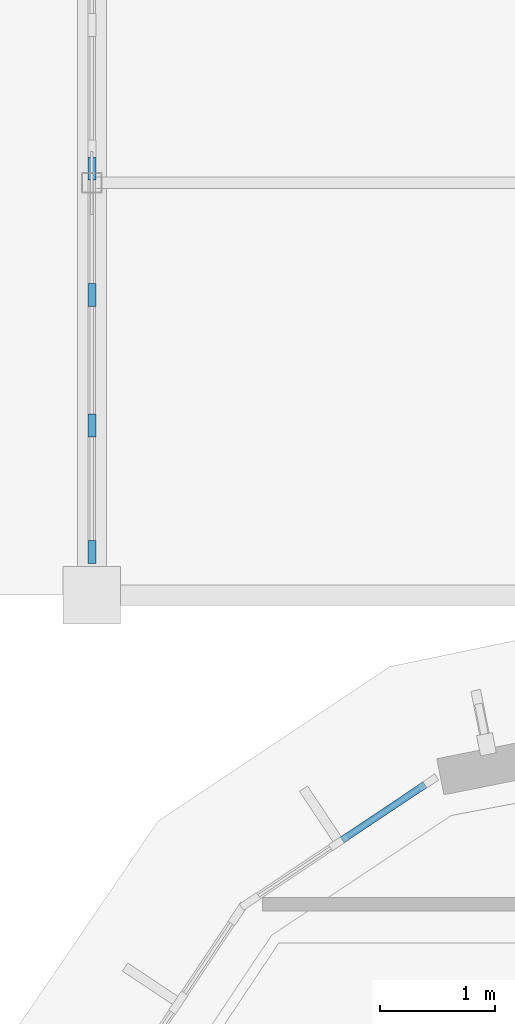
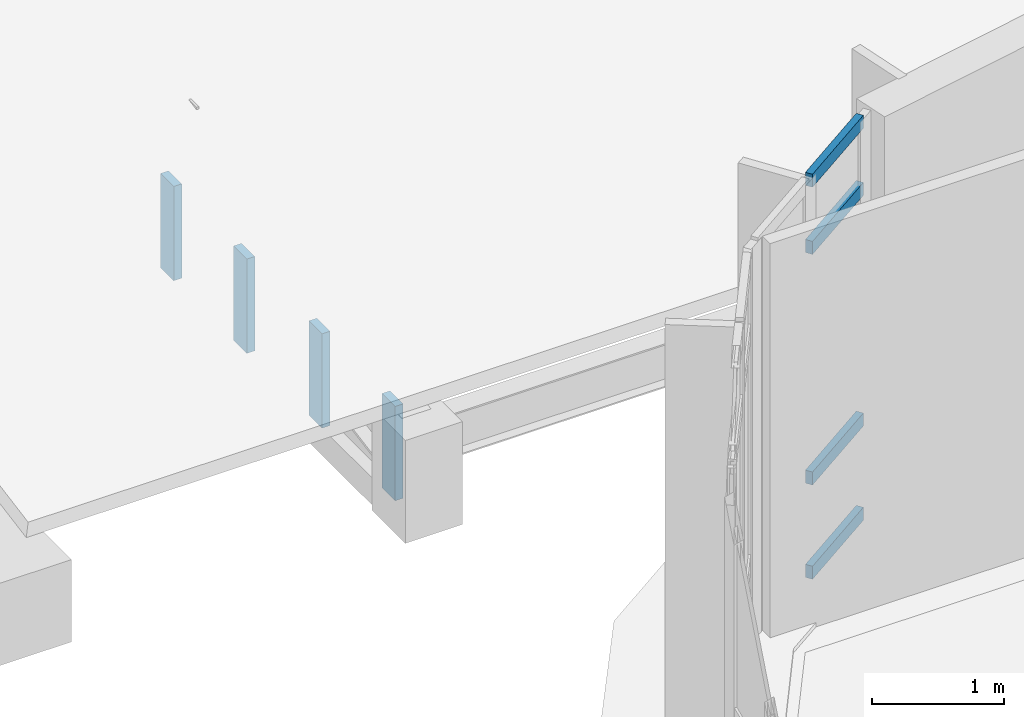
# One storey, part 55 of 105: 8 members, 2 elements without a shape of their own.
"""IFC4 building model written with IfcOpenShell, lengths in metres."""

from ifc_helpers import new_model, si_unit, direction, frame, origin, origin_2d, place, context, subcontext, project, spatial, rectangle, extrude, material, material_profile, profile_set, type_object, element, aggregate, save


model = new_model("IFC4")

# Units and contexts
model_context = context("Model", 3, precision=1e-05, world=origin(), true_north=direction((0.0, 1.0)))
body_context = subcontext(model_context, "Body", "Model", "MODEL_VIEW")
ifc_project = project(units=[si_unit("LENGTHUNIT", "METRE"), si_unit("AREAUNIT", "SQUARE_METRE"), si_unit("VOLUMEUNIT", "CUBIC_METRE"), si_unit("PLANEANGLEUNIT", "RADIAN"), si_unit("MASSUNIT", "GRAM", prefix="KILO")], contexts=[model_context])

# Site, building, storey
site_placement = place(None, origin())
site = spatial("IfcSite", under=ifc_project, at=site_placement, CompositionType="ELEMENT")
building_placement = place(site_placement, origin())
building = spatial("IfcBuilding", under=site, at=building_placement, Name="Corveleigh Park Community Centre", CompositionType="ELEMENT")
storey_placement = place(building_placement, frame((0.0, 0.0, 8.699951171875)))
storey = spatial("IfcBuildingStorey", under=building, at=storey_placement, Name="L02", CompositionType="ELEMENT", Elevation=8.699951171875)

# Curtain wall, members
ifc_material = material(Name="Anodised aluminium 6063-T6", Category="aluminium")
curtain_wall_type = type_object("IfcCurtainWallType", Name="CW-SYS-V2-HALL", PredefinedType="NOTDEFINED", material=ifc_material)
curtain_wall_1_placement = place(storey_placement, origin())
curtain_wall_1 = element("IfcCurtainWall", 1, at=curtain_wall_1_placement, inside=storey, type_object=curtain_wall_type, Name="Sports Hall W Gable Clerestory 1", PredefinedType="NOTDEFINED")
ifc_material_profile_1 = material_profile(ifc_material, rectangle(XDim=0.070068359375, YDim=0.199951171875, at=origin_2d()), Name="ALU-M70x200", Category="aluminium")
ifc_profile_set_1 = profile_set([ifc_material_profile_1], Name="Anodised aluminium 6063-T6")
member_type_1 = type_object("IfcMemberType", Name="CWM-70x200", PredefinedType="MULLION", material=ifc_profile_set_1)
member_1_placement = place(storey_placement, frame((11.199951171875, 93.175048828125, 0.0), z_axis=(0.0, 0.0, 1.0), x_axis=(-1.0, 0.0, 0.0)))
member_1 = element("IfcMember", 2, at=member_1_placement, type_object=member_type_1, Name="CW04 mullion 1", PredefinedType="MULLION", context=body_context, shape_type="SweptSolid", body=[
    extrude(rectangle(XDim=0.070068359375, YDim=0.199951171875, at=origin_2d()), origin(), (0.0, 0.0, 1.0), 0.87109375),
])
member_2_placement = place(storey_placement, frame((11.199951171875, 94.280029296875, 0.0), z_axis=(0.0, 0.0, 1.0), x_axis=(-1.0, 0.0, 0.0)))
member_2 = element("IfcMember", 3, at=member_2_placement, type_object=member_type_1, Name="CW04 mullion 2", PredefinedType="MULLION", context=body_context, shape_type="SweptSolid", body=[
    extrude(rectangle(XDim=0.070068359375, YDim=0.199951171875, at=origin_2d()), origin(), (0.0, 0.0, 1.0), 0.87109375),
])
member_3_placement = place(storey_placement, frame((11.199951171875, 95.419921875, 0.0), z_axis=(0.0, 0.0, 1.0), x_axis=(-1.0, 0.0, 0.0)))
member_3 = element("IfcMember", 4, at=member_3_placement, type_object=member_type_1, Name="CW04 mullion 3", PredefinedType="MULLION", context=body_context, shape_type="SweptSolid", body=[
    extrude(rectangle(XDim=0.070068359375, YDim=0.199951171875, at=origin_2d()), origin(), (0.0, 0.0, 1.0), 0.87109375),
])
member_4_placement = place(storey_placement, frame((11.199951171875, 96.52490234375, 0.0), z_axis=(0.0, 0.0, 1.0), x_axis=(-1.0, 0.0, 0.0)))
member_4 = element("IfcMember", 5, at=member_4_placement, type_object=member_type_1, Name="CW04 mullion 4", PredefinedType="MULLION", context=body_context, shape_type="SweptSolid", body=[
    extrude(rectangle(XDim=0.070068359375, YDim=0.199951171875, at=origin_2d()), origin(), (0.0, 0.0, 1.0), 0.87109375),
])
aggregate(curtain_wall_1, [member_1, member_2, member_3, member_4])

curtain_wall_2_placement = place(storey_placement, origin())
curtain_wall_2 = element("IfcCurtainWall", 6, at=curtain_wall_2_placement, inside=storey, type_object=curtain_wall_type, Name="V2 L02 Curtain Wall 326", PredefinedType="NOTDEFINED")
ifc_material_profile_2 = material_profile(ifc_material, rectangle(XDim=0.06005859375, YDim=0.1201171875, at=origin_2d()), Name="ALU-T60x120", Category="aluminium")
ifc_profile_set_2 = profile_set([ifc_material_profile_2], Name="Anodised aluminium 6063-T6")
member_type_2 = type_object("IfcMemberType", Name="CWT-60x120", PredefinedType="USERDEFINED", material=ifc_profile_set_2)
member_5_placement = place(storey_placement, frame((13.385986328125, 90.66162109375, 0.030029296875), z_axis=(0.831790896777, 0.555089095586, 0.0), x_axis=(-0.555089095586, 0.831790896777, 0.0)))
member_5 = element("IfcMember", 7, at=member_5_placement, type_object=member_type_2, Name="CW04 transom 2.1", ObjectType="TRANSOM", PredefinedType="USERDEFINED", context=body_context, shape_type="SweptSolid", body=[
    extrude(rectangle(XDim=0.06005859375, YDim=0.1201171875, at=origin_2d()), origin(), (0.0, 0.0, 1.0), 0.869140625),
])
member_6_placement = place(storey_placement, frame((13.385986328125, 90.66162109375, 0.900146484375), z_axis=(0.831790896777, 0.555089095586, 0.0), x_axis=(-0.555089095586, 0.831790896777, 0.0)))
member_6 = element("IfcMember", 8, at=member_6_placement, type_object=member_type_2, Name="CW04 transom 2.2", ObjectType="TRANSOM", PredefinedType="USERDEFINED", context=body_context, shape_type="SweptSolid", body=[
    extrude(rectangle(XDim=0.06005859375, YDim=0.1201171875, at=origin_2d()), origin(), (0.0, 0.0, 1.0), 0.869140625),
])
member_7_placement = place(storey_placement, frame((13.385986328125, 90.66162109375, 3.030029296875), z_axis=(0.831790896777, 0.555089095586, 0.0), x_axis=(-0.555089095586, 0.831790896777, 0.0)))
member_7 = element("IfcMember", 9, at=member_7_placement, type_object=member_type_2, Name="CW04 transom 2.3", ObjectType="TRANSOM", PredefinedType="USERDEFINED", context=body_context, shape_type="SweptSolid", body=[
    extrude(rectangle(XDim=0.06005859375, YDim=0.1201171875, at=origin_2d()), origin(), (0.0, 0.0, 1.0), 0.869140625),
])
member_8_placement = place(storey_placement, frame((13.385986328125, 90.66162109375, 3.650146484375), z_axis=(0.831790896777, 0.555089095586, 0.0), x_axis=(-0.555089095586, 0.831790896777, 0.0)))
member_8 = element("IfcMember", 10, at=member_8_placement, type_object=member_type_2, Name="CW04 transom 2.4", ObjectType="TRANSOM", PredefinedType="USERDEFINED", context=body_context, shape_type="SweptSolid", body=[
    extrude(rectangle(XDim=0.06005859375, YDim=0.1201171875, at=origin_2d()), origin(), (0.0, 0.0, 1.0), 0.869140625),
])
aggregate(curtain_wall_2, [member_5, member_6, member_7, member_8])

save(model, "model.ifc")
